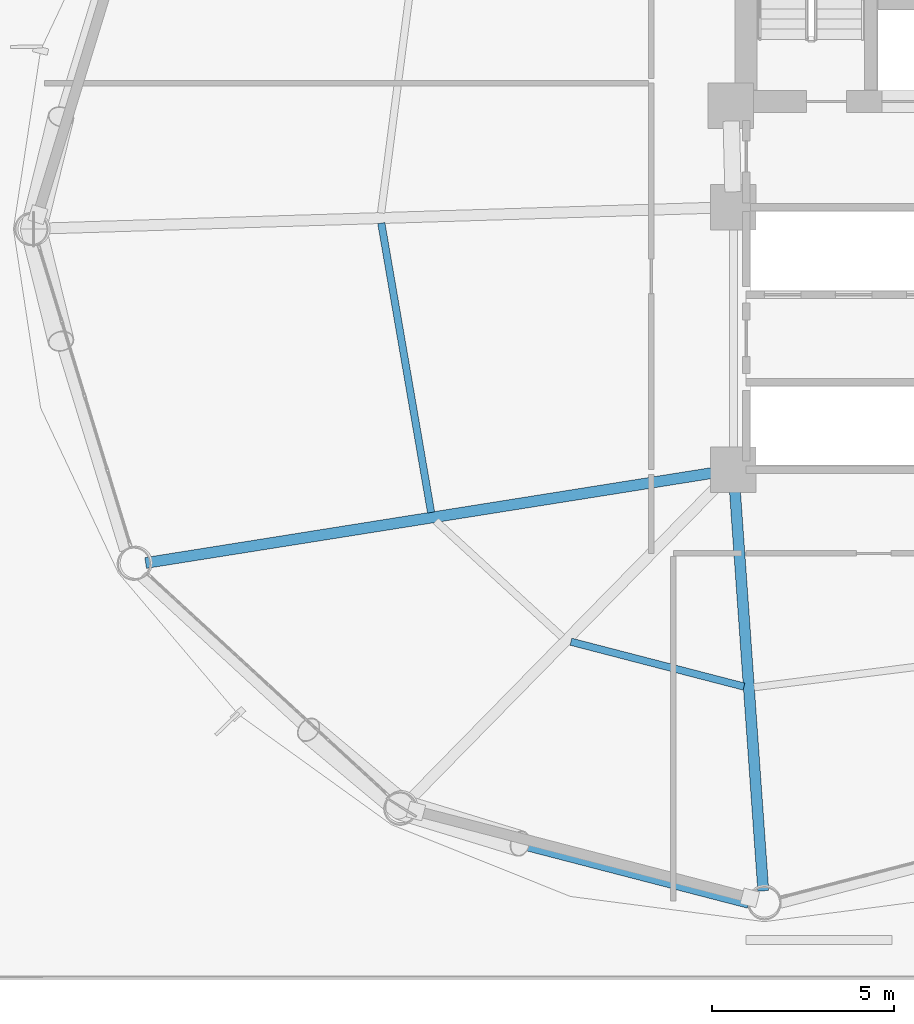
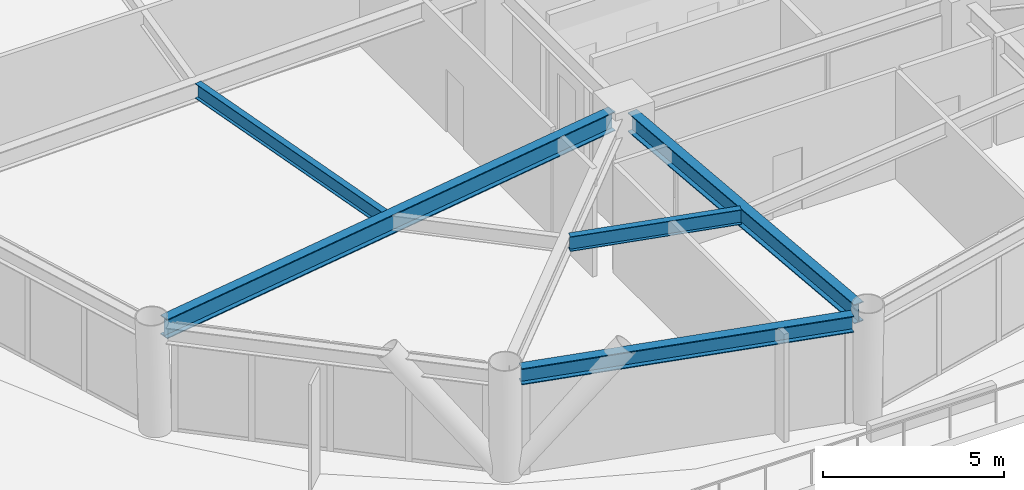
# One storey, part 4 of 24: 5 beams.
"""IFC4 building model written with IfcOpenShell, lengths in metres."""

from ifc_helpers import new_model, si_unit, direction, frame, origin, origin_2d, place, context, subcontext, project, spatial, i_section, extrude, material, material_profile, profile_set, type_object, element, save


model = new_model("IFC4")

# Units and contexts
model_context = context("Model", 3, precision=1e-05, world=origin(), true_north=direction((0.0, 1.0)))
body_context = subcontext(model_context, "Body", "Model", "MODEL_VIEW")
ifc_project = project(units=[si_unit("LENGTHUNIT", "METRE"), si_unit("AREAUNIT", "SQUARE_METRE"), si_unit("VOLUMEUNIT", "CUBIC_METRE"), si_unit("PLANEANGLEUNIT", "RADIAN"), si_unit("MASSUNIT", "GRAM", prefix="KILO")], contexts=[model_context])

# Site, building, storey
site_placement = place(None, origin())
site = spatial("IfcSite", under=ifc_project, at=site_placement, CompositionType="ELEMENT")
building_placement = place(site_placement, origin())
building = spatial("IfcBuilding", under=site, at=building_placement, Name="Varnakorn Sky Granary", CompositionType="ELEMENT")
storey_placement = place(building_placement, frame((0.0, 0.0, 27.60009765625)))
storey = spatial("IfcBuildingStorey", under=building, at=storey_placement, Name="L06", CompositionType="ELEMENT", Elevation=27.60009765625)

# Beams
ifc_material = material(Name="Steel S355JR", Category="steel")
ifc_material_profile_1 = material_profile(ifc_material, i_section(OverallWidth=0.300048828125, OverallDepth=0.64990234375, WebThickness=0.01611328125, FlangeThickness=0.031005859375, at=origin_2d()), Name="HE 650 B")
ifc_profile_set_1 = profile_set([ifc_material_profile_1], Name="Steel S355JR")
beam_type_1 = type_object("IfcBeamType", Name="BM-RAD-Z1", PredefinedType="BEAM", material=ifc_profile_set_1)
beam_1_placement = place(storey_placement, frame((-2.764892578125, -6.666015625, 3.31494140625), z_axis=(-0.98761854703, -0.156874489838, 0.0), x_axis=(0.156874489838, -0.98761854703, 0.0)))
element("IfcBeam", 1, at=beam_1_placement, inside=storey, type_object=beam_type_1, Name="Radial Floor Girder RG08 L06", PredefinedType="BEAM", context=body_context, shape_type="SweptSolid", body=[
    extrude(i_section(OverallWidth=0.300048828125, OverallDepth=0.64990234375, WebThickness=0.01611328125, FlangeThickness=0.031005859375, at=origin_2d()), origin(), (0.0, 0.0, 1.0), 15.9052734375),
])
beam_2_placement = place(storey_placement, frame((-2.3203125, -7.018798828125, 3.31494140625), z_axis=(0.070678241429, -0.997499166009, 0.0), x_axis=(0.997499166009, 0.070678241429, 0.0)))
element("IfcBeam", 2, at=beam_2_placement, inside=storey, type_object=beam_type_1, Name="Radial Floor Girder RG10 L06", PredefinedType="BEAM", context=body_context, shape_type="SweptSolid", body=[
    extrude(i_section(OverallWidth=0.300048828125, OverallDepth=0.64990234375, WebThickness=0.01611328125, FlangeThickness=0.031005859375, at=origin_2d()), origin(), (0.0, 0.0, 1.0), 11.1640625),
])
ifc_material_profile_2 = material_profile(ifc_material, i_section(OverallWidth=0.199951171875, OverallDepth=0.5, WebThickness=0.01025390625, FlangeThickness=0.01611328125, at=origin_2d()), Name="IPE 500")
ifc_profile_set_2 = profile_set([ifc_material_profile_2], Name="Steel S355JR")
beam_type_2 = type_object("IfcBeamType", Name="BM-SEC-Z1", PredefinedType="BEAM", material=ifc_profile_set_2)
beam_3_placement = place(storey_placement, frame((-12.00927734375, 0.162353515625, 3.389892578125), z_axis=(0.169646054042, -0.98550505648, 0.0), x_axis=(0.98550505648, 0.169646054042, 0.0)))
element("IfcBeam", 3, at=beam_3_placement, inside=storey, type_object=beam_type_2, Name="Secondary Floor Chord Beam MSB07 L06", PredefinedType="BEAM", context=body_context, shape_type="SweptSolid", body=[
    extrude(i_section(OverallWidth=0.199951171875, OverallDepth=0.5, WebThickness=0.01025390625, FlangeThickness=0.01611328125, at=origin_2d()), origin(), (0.0, 0.0, 1.0), 8.0546875),
])
beam_4_placement = place(storey_placement, frame((-6.8076171875, -11.321044921875, 3.389892578125), z_axis=(0.967975839421, -0.251043371347, 0.0), x_axis=(0.251043371347, 0.967975839421, 0.0)))
element("IfcBeam", 4, at=beam_4_placement, inside=storey, type_object=beam_type_2, Name="Secondary Floor Chord Beam MSB09 L06", PredefinedType="BEAM", context=body_context, shape_type="SweptSolid", body=[
    extrude(i_section(OverallWidth=0.199951171875, OverallDepth=0.5, WebThickness=0.01025390625, FlangeThickness=0.01611328125, at=origin_2d()), origin(), (0.0, 0.0, 1.0), 4.9033203125),
])
ifc_material_profile_3 = material_profile(ifc_material, i_section(OverallWidth=0.300048828125, OverallDepth=0.550048828125, WebThickness=0.014892578125, FlangeThickness=0.029052734375, at=origin_2d()), Name="HE 550 B")
ifc_profile_set_3 = profile_set([ifc_material_profile_3], Name="Steel S355JR")
beam_type_3 = type_object("IfcBeamType", Name="BM-SPD-Z1", PredefinedType="SPANDREL", material=ifc_profile_set_3)
beam_5_placement = place(storey_placement, frame((-11.123779296875, -16.0986328125, 3.364990234375), z_axis=(0.967937681729, -0.251190454215, 0.0), x_axis=(0.251190454215, 0.967937681729, 0.0)))
element("IfcBeam", 5, at=beam_5_placement, inside=storey, type_object=beam_type_3, Name="Perimeter Spandrel Ring Beam RB09 L06", PredefinedType="SPANDREL", context=body_context, shape_type="SweptSolid", body=[
    extrude(i_section(OverallWidth=0.300048828125, OverallDepth=0.550048828125, WebThickness=0.014892578125, FlangeThickness=0.029052734375, at=origin_2d()), origin(), (0.0, 0.0, 1.0), 9.500732421875),
])

save(model, "model.ifc")
